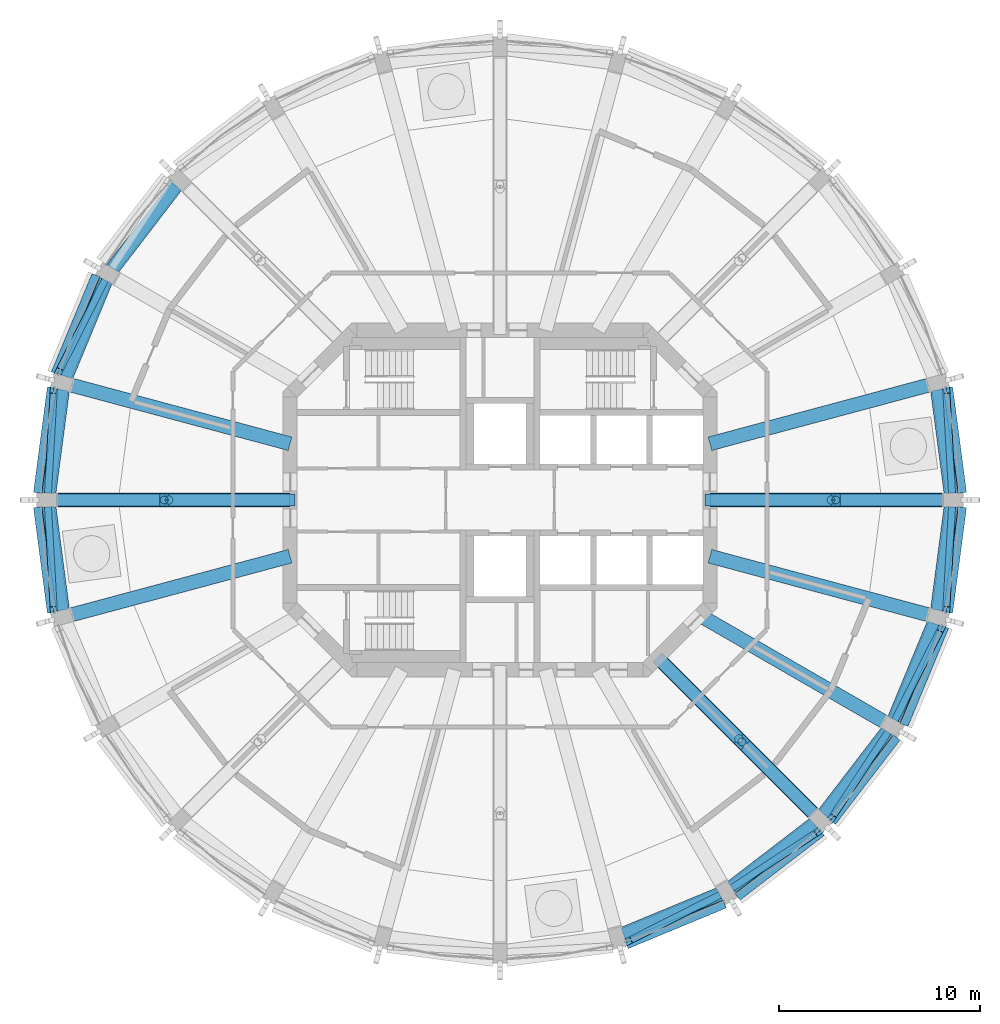
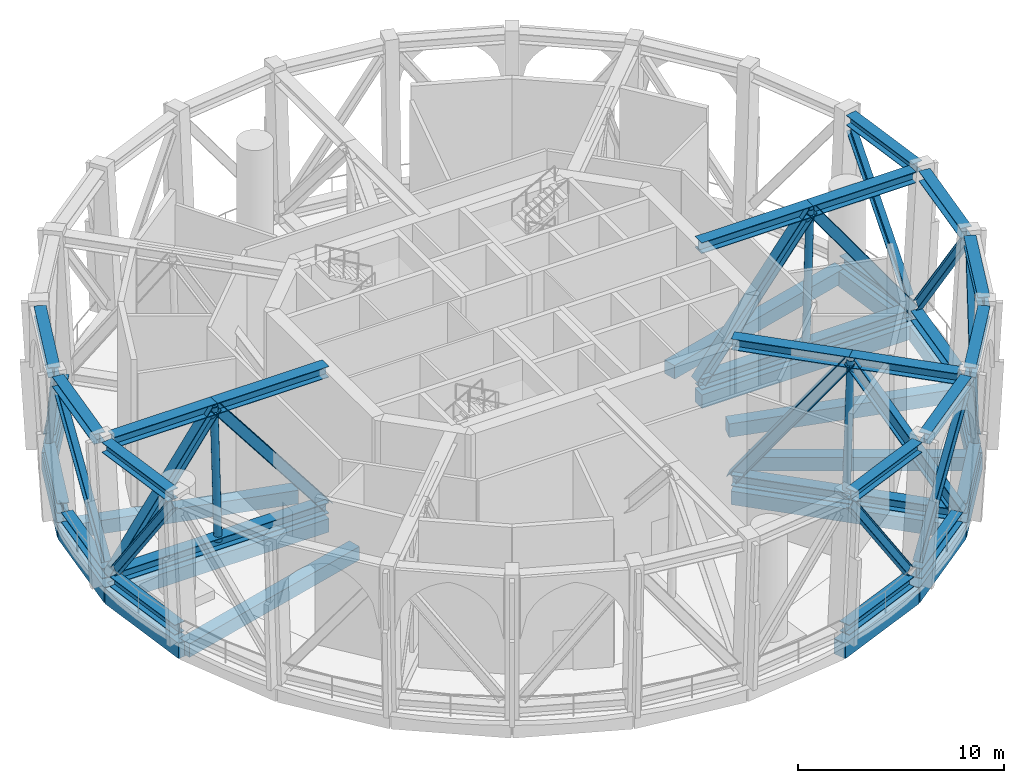
# One storey, part 2 of 12: 46 members, 18 beams.
"""IFC4 building model written with IfcOpenShell, lengths in metres."""

from ifc_helpers import new_model, si_unit, direction, frame, origin, origin_2d, place, context, subcontext, project, spatial, rectangle, hollow_circle, i_section, extrude, material, material_profile, profile_set, type_object, element, save


model = new_model("IFC4")

# Units and contexts
model_context = context("Model", 3, precision=1e-05, world=origin(), true_north=direction((0.0, 1.0)))
body_context = subcontext(model_context, "Body", "Model", "MODEL_VIEW")
ifc_project = project(units=[si_unit("LENGTHUNIT", "METRE"), si_unit("AREAUNIT", "SQUARE_METRE"), si_unit("VOLUMEUNIT", "CUBIC_METRE"), si_unit("PLANEANGLEUNIT", "RADIAN"), si_unit("MASSUNIT", "GRAM", prefix="KILO")], contexts=[model_context])

# Site, building, storey
site_placement = place(None, origin())
site = spatial("IfcSite", under=ifc_project, at=site_placement, CompositionType="ELEMENT")
building_placement = place(site_placement, origin())
building = spatial("IfcBuilding", under=site, at=building_placement, Name="Torre Triforio", CompositionType="ELEMENT")
storey_placement = place(building_placement, frame((0.0, 0.0, 183.800048828125)))
storey = spatial("IfcBuildingStorey", under=building, at=storey_placement, Name="L42", CompositionType="ELEMENT", Elevation=183.800048828125)

# Members
ifc_material_1 = material(Name="Steel ASTM A572 Gr 50", Category="steel")
ifc_material_profile_1 = material_profile(ifc_material_1, i_section(OverallWidth=0.60009765625, OverallDepth=0.60009765625, WebThickness=0.02490234375, FlangeThickness=0.031494140625, at=origin_2d()), Name="CS 600x402")
ifc_profile_set_1 = profile_set([ifc_material_profile_1], Name="Steel ASTM A572 Gr 50")
member_type_1 = type_object("IfcMemberType", Name="Belt truss chord CS 600x402", PredefinedType="CHORD", material=ifc_profile_set_1)
member_1_placement = place(storey_placement, frame((22.470703125, 0.35009765625, 0.300048828125), z_axis=(-0.13056807281, 0.99143934679, 0.0), x_axis=(-0.99143934679, -0.13056807281, 0.0)))
element("IfcMember", 1, at=member_1_placement, inside=storey, type_object=member_type_1, Name="BT.L42.00.CB", PredefinedType="CHORD", context=body_context, shape_type="SweptSolid", body=[
    extrude(i_section(OverallWidth=0.60009765625, OverallDepth=0.60009765625, WebThickness=0.02490234375, FlangeThickness=0.031494140625, at=origin_2d()), origin(), (0.0, 0.0, 1.0), 5.171875),
])
member_2_placement = place(storey_placement, frame((22.921630859375, 0.35009765625, 8.419921875), z_axis=(-0.130524953638, 0.991445024435, 0.0), x_axis=(-0.991445024435, -0.130524953638, 0.0)))
element("IfcMember", 2, at=member_2_placement, inside=storey, type_object=member_type_1, Name="BT.L42.00.CT", PredefinedType="CHORD", context=body_context, shape_type="SweptSolid", body=[
    extrude(i_section(OverallWidth=0.60009765625, OverallDepth=0.60009765625, WebThickness=0.02490234375, FlangeThickness=0.031494140625, at=origin_2d()), origin(), (0.0, 0.0, 1.0), 5.28955078125),
])
for number, where, z_axis, x_axis, name in (
    (3, (-16.136474609375, 15.6416015625, 0.300048828125), (-0.608777333053, -0.793341136436, 0.0), (0.793341136436, -0.608777333053, 0.0), "BT.L42.09.CB"),
    (4, (-19.635009765625, 10.93212890625, 0.300048828125), (-0.382683922195, -0.923879329617, 0.0), (0.923879329617, -0.382683922195, 0.0), "BT.L42.10.CB"),
):
    element("IfcMember", number, at=place(storey_placement, frame(where, z_axis=z_axis, x_axis=x_axis)), inside=storey, type_object=member_type_1, Name=name, PredefinedType="CHORD", context=body_context, shape_type="SweptSolid", body=[
        extrude(i_section(OverallWidth=0.60009765625, OverallDepth=0.60009765625, WebThickness=0.02490234375, FlangeThickness=0.031494140625, at=origin_2d()), origin(), (0.0, 0.0, 1.0), 5.172119140625),
    ])
member_3_placement = place(storey_placement, frame((-20.02587890625, 11.15771484375, 8.419921875), z_axis=(-0.382671106265, -0.923884638053, 0.0), x_axis=(0.923884638053, -0.382671106265, 0.0)))
element("IfcMember", 5, at=member_3_placement, inside=storey, type_object=member_type_1, Name="BT.L42.10.CT", PredefinedType="CHORD", context=body_context, shape_type="SweptSolid", body=[
    extrude(i_section(OverallWidth=0.60009765625, OverallDepth=0.60009765625, WebThickness=0.02490234375, FlangeThickness=0.031494140625, at=origin_2d()), origin(), (0.0, 0.0, 1.0), 5.28955078125),
])
member_4_placement = place(storey_placement, frame((-21.79541015625, 5.477783203125, 0.300048828125), z_axis=(-0.13056807281, -0.99143934679, 0.0), x_axis=(0.99143934679, -0.13056807281, 0.0)))
element("IfcMember", 6, at=member_4_placement, inside=storey, type_object=member_type_1, Name="BT.L42.11.CB", PredefinedType="CHORD", context=body_context, shape_type="SweptSolid", body=[
    extrude(i_section(OverallWidth=0.60009765625, OverallDepth=0.60009765625, WebThickness=0.02490234375, FlangeThickness=0.031494140625, at=origin_2d()), origin(), (0.0, 0.0, 1.0), 5.171875),
])
member_5_placement = place(storey_placement, frame((-22.231201171875, 5.594482421875, 8.419921875), z_axis=(-0.130524953638, -0.991445024435, 0.0), x_axis=(0.991445024435, -0.130524953638, 0.0)))
element("IfcMember", 7, at=member_5_placement, inside=storey, type_object=member_type_1, Name="BT.L42.11.CT", PredefinedType="CHORD", context=body_context, shape_type="SweptSolid", body=[
    extrude(i_section(OverallWidth=0.60009765625, OverallDepth=0.60009765625, WebThickness=0.02490234375, FlangeThickness=0.031494140625, at=origin_2d()), origin(), (0.0, 0.0, 1.0), 5.28955078125),
])
member_6_placement = place(storey_placement, frame((-22.470703125, -0.35009765625, 0.300048828125), z_axis=(0.13056807281, -0.99143934679, 0.0), x_axis=(0.99143934679, 0.13056807281, 0.0)))
element("IfcMember", 8, at=member_6_placement, inside=storey, type_object=member_type_1, Name="BT.L42.12.CB", PredefinedType="CHORD", context=body_context, shape_type="SweptSolid", body=[
    extrude(i_section(OverallWidth=0.60009765625, OverallDepth=0.60009765625, WebThickness=0.02490234375, FlangeThickness=0.031494140625, at=origin_2d()), origin(), (0.0, 0.0, 1.0), 5.171875),
])
member_7_placement = place(storey_placement, frame((-22.921630859375, -0.35009765625, 8.419921875), z_axis=(0.130524953638, -0.991445024435, 0.0), x_axis=(0.991445024435, 0.130524953638, 0.0)))
element("IfcMember", 9, at=member_7_placement, inside=storey, type_object=member_type_1, Name="BT.L42.12.CT", PredefinedType="CHORD", context=body_context, shape_type="SweptSolid", body=[
    extrude(i_section(OverallWidth=0.60009765625, OverallDepth=0.60009765625, WebThickness=0.02490234375, FlangeThickness=0.031494140625, at=origin_2d()), origin(), (0.0, 0.0, 1.0), 5.28955078125),
])
member_8_placement = place(storey_placement, frame((6.15380859375, -21.6142578125, 0.300048828125), z_axis=(0.923879329617, 0.382683922195, 0.0), x_axis=(-0.382683922195, 0.923879329617, 0.0)))
element("IfcMember", 10, at=member_8_placement, inside=storey, type_object=member_type_1, Name="BT.L42.19.CB", PredefinedType="CHORD", context=body_context, shape_type="SweptSolid", body=[
    extrude(i_section(OverallWidth=0.60009765625, OverallDepth=0.60009765625, WebThickness=0.02490234375, FlangeThickness=0.031494140625, at=origin_2d()), origin(), (0.0, 0.0, 1.0), 5.172119140625),
])
member_9_placement = place(storey_placement, frame((6.270751953125, -22.050048828125, 8.419921875), z_axis=(0.923884638053, 0.382671106265, 0.0), x_axis=(-0.382671106265, 0.923884638053, 0.0)))
element("IfcMember", 11, at=member_9_placement, inside=storey, type_object=member_type_1, Name="BT.L42.19.CT", PredefinedType="CHORD", context=body_context, shape_type="SweptSolid", body=[
    extrude(i_section(OverallWidth=0.60009765625, OverallDepth=0.60009765625, WebThickness=0.02490234375, FlangeThickness=0.031494140625, at=origin_2d()), origin(), (0.0, 0.0, 1.0), 5.28955078125),
])
member_10_placement = place(storey_placement, frame((11.538330078125, -19.28515625, 0.300048828125), z_axis=(0.793341136436, 0.608777333053, 0.0), x_axis=(-0.608777333053, 0.793341136436, 0.0)))
element("IfcMember", 12, at=member_10_placement, inside=storey, type_object=member_type_1, Name="BT.L42.20.CB", PredefinedType="CHORD", context=body_context, shape_type="SweptSolid", body=[
    extrude(i_section(OverallWidth=0.60009765625, OverallDepth=0.60009765625, WebThickness=0.02490234375, FlangeThickness=0.031494140625, at=origin_2d()), origin(), (0.0, 0.0, 1.0), 5.172119140625),
])
member_11_placement = place(storey_placement, frame((11.763916015625, -19.67578125, 8.419921875), z_axis=(0.793361162285, 0.608751235052, 0.0), x_axis=(-0.608751235052, 0.793361162285, 0.0)))
element("IfcMember", 13, at=member_11_placement, inside=storey, type_object=member_type_1, Name="BT.L42.20.CT", PredefinedType="CHORD", context=body_context, shape_type="SweptSolid", body=[
    extrude(i_section(OverallWidth=0.60009765625, OverallDepth=0.60009765625, WebThickness=0.02490234375, FlangeThickness=0.031494140625, at=origin_2d()), origin(), (0.0, 0.0, 1.0), 5.289794921875),
])
member_12_placement = place(storey_placement, frame((16.136474609375, -15.6416015625, 0.300048828125), z_axis=(0.608777333053, 0.793341136436, 0.0), x_axis=(-0.793341136436, 0.608777333053, 0.0)))
element("IfcMember", 14, at=member_12_placement, inside=storey, type_object=member_type_1, Name="BT.L42.21.CB", PredefinedType="CHORD", context=body_context, shape_type="SweptSolid", body=[
    extrude(i_section(OverallWidth=0.60009765625, OverallDepth=0.60009765625, WebThickness=0.02490234375, FlangeThickness=0.031494140625, at=origin_2d()), origin(), (0.0, 0.0, 1.0), 5.172119140625),
])
member_13_placement = place(storey_placement, frame((16.45556640625, -15.960693359375, 8.419921875), z_axis=(0.608751235052, 0.793361162285, 0.0), x_axis=(-0.793361162285, 0.608751235052, 0.0)))
element("IfcMember", 15, at=member_13_placement, inside=storey, type_object=member_type_1, Name="BT.L42.21.CT", PredefinedType="CHORD", context=body_context, shape_type="SweptSolid", body=[
    extrude(i_section(OverallWidth=0.60009765625, OverallDepth=0.60009765625, WebThickness=0.02490234375, FlangeThickness=0.031494140625, at=origin_2d()), origin(), (0.0, 0.0, 1.0), 5.289794921875),
])
member_14_placement = place(storey_placement, frame((19.635009765625, -10.93212890625, 0.300048828125), z_axis=(0.382683922195, 0.923879329617, 0.0), x_axis=(-0.923879329617, 0.382683922195, 0.0)))
element("IfcMember", 16, at=member_14_placement, inside=storey, type_object=member_type_1, Name="BT.L42.22.CB", PredefinedType="CHORD", context=body_context, shape_type="SweptSolid", body=[
    extrude(i_section(OverallWidth=0.60009765625, OverallDepth=0.60009765625, WebThickness=0.02490234375, FlangeThickness=0.031494140625, at=origin_2d()), origin(), (0.0, 0.0, 1.0), 5.172119140625),
])
member_15_placement = place(storey_placement, frame((20.02587890625, -11.15771484375, 8.419921875), z_axis=(0.382671106265, 0.923884638053, 0.0), x_axis=(-0.923884638053, 0.382671106265, 0.0)))
element("IfcMember", 17, at=member_15_placement, inside=storey, type_object=member_type_1, Name="BT.L42.22.CT", PredefinedType="CHORD", context=body_context, shape_type="SweptSolid", body=[
    extrude(i_section(OverallWidth=0.60009765625, OverallDepth=0.60009765625, WebThickness=0.02490234375, FlangeThickness=0.031494140625, at=origin_2d()), origin(), (0.0, 0.0, 1.0), 5.28955078125),
])
member_16_placement = place(storey_placement, frame((21.79541015625, -5.477783203125, 0.300048828125), z_axis=(0.13056807281, 0.99143934679, 0.0), x_axis=(-0.99143934679, 0.13056807281, 0.0)))
element("IfcMember", 18, at=member_16_placement, inside=storey, type_object=member_type_1, Name="BT.L42.23.CB", PredefinedType="CHORD", context=body_context, shape_type="SweptSolid", body=[
    extrude(i_section(OverallWidth=0.60009765625, OverallDepth=0.60009765625, WebThickness=0.02490234375, FlangeThickness=0.031494140625, at=origin_2d()), origin(), (0.0, 0.0, 1.0), 5.171875),
])
member_17_placement = place(storey_placement, frame((22.231201171875, -5.594482421875, 8.419921875), z_axis=(0.130524953638, 0.991445024435, 0.0), x_axis=(-0.991445024435, 0.130524953638, 0.0)))
element("IfcMember", 19, at=member_17_placement, inside=storey, type_object=member_type_1, Name="BT.L42.23.CT", PredefinedType="CHORD", context=body_context, shape_type="SweptSolid", body=[
    extrude(i_section(OverallWidth=0.60009765625, OverallDepth=0.60009765625, WebThickness=0.02490234375, FlangeThickness=0.031494140625, at=origin_2d()), origin(), (0.0, 0.0, 1.0), 5.28955078125),
])
ifc_material_profile_2 = material_profile(ifc_material_1, i_section(OverallWidth=0.35009765625, OverallDepth=0.5, WebThickness=0.01904296875, FlangeThickness=0.02490234375, at=origin_2d()), Name="CVS 500x204")
ifc_profile_set_2 = profile_set([ifc_material_profile_2], Name="Steel ASTM A572 Gr 50")
member_type_2 = type_object("IfcMemberType", Name="Belt truss diagonal CVS 500x204", PredefinedType="BRACE", material=ifc_profile_set_2)
member_18_placement = place(storey_placement, frame((22.4921875, 0.43994140625, 0.90087890625), z_axis=(-0.032915956842, 0.590378322033, 0.806455191972), x_axis=(-0.998449359576, -0.055667552149, 0.0)))
element("IfcMember", 20, at=member_18_placement, inside=storey, type_object=member_type_2, Name="BT.L42.00.D", PredefinedType="BRACE", context=body_context, shape_type="SweptSolid", body=[
    extrude(i_section(OverallWidth=0.35009765625, OverallDepth=0.5, WebThickness=0.01904296875, FlangeThickness=0.02490234375, at=origin_2d()), origin(), (0.0, 0.0, 1.0), 8.566650390625),
])
member_19_placement = place(storey_placement, frame((-19.69873046875, 10.865234375, 0.90087890625), z_axis=(-0.266686290397, -0.527758432555, 0.806442471216), x_axis=(0.892520251583, -0.451007317583, 0.0)))
element("IfcMember", 21, at=member_19_placement, inside=storey, type_object=member_type_2, Name="BT.L42.10.D", PredefinedType="BRACE", context=body_context, shape_type="SweptSolid", body=[
    extrude(i_section(OverallWidth=0.35009765625, OverallDepth=0.5, WebThickness=0.01904296875, FlangeThickness=0.02490234375, at=origin_2d()), origin(), (0.0, 0.0, 1.0), 8.56689453125),
])
for number, where, z_axis, x_axis, name in (
    (22, (-22.210205078125, 5.49755859375, 7.8095703125), (-0.032915956842, -0.590378322033, -0.806455191972), (0.998449359576, -0.055667552149, 0.0), "BT.L42.11.D"),
    (23, (-22.4921875, -0.43994140625, 0.90087890625), (0.032915956842, -0.590378322033, 0.806455191972), (0.998449359576, 0.055667552149, 0.0), "BT.L42.12.D"),
):
    element("IfcMember", number, at=place(storey_placement, frame(where, z_axis=z_axis, x_axis=x_axis)), inside=storey, type_object=member_type_2, Name=name, PredefinedType="BRACE", context=body_context, shape_type="SweptSolid", body=[
        extrude(i_section(OverallWidth=0.35009765625, OverallDepth=0.5, WebThickness=0.01904296875, FlangeThickness=0.02490234375, at=origin_2d()), origin(), (0.0, 0.0, 1.0), 8.566650390625),
    ])
for number, where, z_axis, x_axis, name in (
    (24, (6.343994140625, -21.9833984375, 7.8095703125), (0.527758432555, 0.266686290397, -0.806442471216), (-0.451007317583, 0.892520251583, 0.0), "BT.L42.19.D"),
    (25, (11.626953125, -19.2587890625, 0.90087890625), (0.49484101524, 0.323709922375, 0.806439244948), (-0.547438929795, 0.836845635792, 0.0), "BT.L42.20.D"),
    (26, (16.485595703125, -15.8662109375, 7.8095703125), (0.323709922375, 0.49484101524, -0.806439244948), (-0.836845635792, 0.547438929795, 0.0), "BT.L42.21.D"),
    (27, (19.69873046875, -10.865234375, 0.90087890625), (0.266686290397, 0.527758432555, 0.806442471216), (-0.892520251583, 0.451007317583, 0.0), "BT.L42.22.D"),
):
    element("IfcMember", number, at=place(storey_placement, frame(where, z_axis=z_axis, x_axis=x_axis)), inside=storey, type_object=member_type_2, Name=name, PredefinedType="BRACE", context=body_context, shape_type="SweptSolid", body=[
        extrude(i_section(OverallWidth=0.35009765625, OverallDepth=0.5, WebThickness=0.01904296875, FlangeThickness=0.02490234375, at=origin_2d()), origin(), (0.0, 0.0, 1.0), 8.56689453125),
    ])
member_20_placement = place(storey_placement, frame((22.210205078125, -5.49755859375, 7.8095703125), z_axis=(0.032915956842, 0.590378322033, -0.806455191972), x_axis=(-0.998449359576, 0.055667552149, 0.0)))
element("IfcMember", 28, at=member_20_placement, inside=storey, type_object=member_type_2, Name="BT.L42.23.D", PredefinedType="BRACE", context=body_context, shape_type="SweptSolid", body=[
    extrude(i_section(OverallWidth=0.35009765625, OverallDepth=0.5, WebThickness=0.01904296875, FlangeThickness=0.02490234375, at=origin_2d()), origin(), (0.0, 0.0, 1.0), 8.566650390625),
])
ifc_material_profile_3 = material_profile(ifc_material_1, i_section(OverallWidth=0.64990234375, OverallDepth=0.64990234375, WebThickness=0.02490234375, FlangeThickness=0.031494140625, at=origin_2d()), Name="CS 650x437")
ifc_profile_set_3 = profile_set([ifc_material_profile_3], Name="Steel ASTM A572 Gr 50")
member_type_3 = type_object("IfcMemberType", Name="Outrigger bottom chord CS 650x437", PredefinedType="CHORD", material=ifc_profile_set_3)
for number, where, z_axis, x_axis, name in (
    (29, (10.449951171875, 0.0, 0.324951171875), (1.0, 0.0, 0.0), (0.0, 1.0, 0.0), "OR.1.CB.1"),
    (30, (-10.449951171875, 0.0, 0.324951171875), (-1.0, 0.0, 0.0), (0.0, -1.0, 0.0), "OR.5.CB.1"),
):
    element("IfcMember", number, at=place(storey_placement, frame(where, z_axis=z_axis, x_axis=x_axis)), inside=storey, type_object=member_type_3, Name=name, PredefinedType="CHORD", context=body_context, shape_type="SweptSolid", body=[
        extrude(i_section(OverallWidth=0.64990234375, OverallDepth=0.64990234375, WebThickness=0.02490234375, FlangeThickness=0.031494140625, at=origin_2d()), origin(), (0.0, 0.0, 1.0), 11.568115234375),
    ])
member_21_placement = place(storey_placement, frame((7.847412109375, -7.847412109375, 0.324951171875), z_axis=(0.707106781187, -0.707106781187, 0.0), x_axis=(0.707106781187, 0.707106781187, 0.0)))
element("IfcMember", 31, at=member_21_placement, inside=storey, type_object=member_type_3, Name="OR.8.CB.1", PredefinedType="CHORD", context=body_context, shape_type="SweptSolid", body=[
    extrude(i_section(OverallWidth=0.64990234375, OverallDepth=0.64990234375, WebThickness=0.02490234375, FlangeThickness=0.031494140625, at=origin_2d()), origin(), (0.0, 0.0, 1.0), 10.920166015625),
])
ifc_material_profile_4 = material_profile(ifc_material_1, i_section(OverallWidth=0.64990234375, OverallDepth=0.64990234375, WebThickness=0.02490234375, FlangeThickness=0.031494140625, at=origin_2d()), Name="CS 650x437")
ifc_profile_set_4 = profile_set([ifc_material_profile_4], Name="Steel ASTM A572 Gr 50")
member_type_4 = type_object("IfcMemberType", Name="Outrigger top chord CS 650x437", PredefinedType="CHORD", material=ifc_profile_set_4)
member_22_placement = place(storey_placement, frame((10.449951171875, 0.0, 8.39501953125), z_axis=(1.0, 0.0, 0.0), x_axis=(0.0, 1.0, 0.0)))
element("IfcMember", 32, at=member_22_placement, inside=storey, type_object=member_type_4, Name="OR.1.CT.1", PredefinedType="CHORD", context=body_context, shape_type="SweptSolid", body=[
    extrude(i_section(OverallWidth=0.64990234375, OverallDepth=0.64990234375, WebThickness=0.02490234375, FlangeThickness=0.031494140625, at=origin_2d()), origin(), (0.0, 0.0, 1.0), 6.25830078125),
])
member_23_placement = place(storey_placement, frame((16.708251953125, 0.0, 8.39501953125), z_axis=(1.0, 0.0, 0.0), x_axis=(0.0, 1.0, 0.0)))
element("IfcMember", 33, at=member_23_placement, inside=storey, type_object=member_type_4, Name="OR.1.CT.2", PredefinedType="CHORD", context=body_context, shape_type="SweptSolid", body=[
    extrude(i_section(OverallWidth=0.64990234375, OverallDepth=0.64990234375, WebThickness=0.02490234375, FlangeThickness=0.031494140625, at=origin_2d()), origin(), (0.0, 0.0, 1.0), 5.758056640625),
])
member_24_placement = place(storey_placement, frame((-10.449951171875, 0.0, 8.39501953125), z_axis=(-1.0, 0.0, 0.0), x_axis=(0.0, -1.0, 0.0)))
element("IfcMember", 34, at=member_24_placement, inside=storey, type_object=member_type_4, Name="OR.5.CT.1", PredefinedType="CHORD", context=body_context, shape_type="SweptSolid", body=[
    extrude(i_section(OverallWidth=0.64990234375, OverallDepth=0.64990234375, WebThickness=0.02490234375, FlangeThickness=0.031494140625, at=origin_2d()), origin(), (0.0, 0.0, 1.0), 6.25830078125),
])
member_25_placement = place(storey_placement, frame((-16.708251953125, 0.0, 8.39501953125), z_axis=(-1.0, 0.0, 0.0), x_axis=(0.0, -1.0, 0.0)))
element("IfcMember", 35, at=member_25_placement, inside=storey, type_object=member_type_4, Name="OR.5.CT.2", PredefinedType="CHORD", context=body_context, shape_type="SweptSolid", body=[
    extrude(i_section(OverallWidth=0.64990234375, OverallDepth=0.64990234375, WebThickness=0.02490234375, FlangeThickness=0.031494140625, at=origin_2d()), origin(), (0.0, 0.0, 1.0), 5.758056640625),
])
member_26_placement = place(storey_placement, frame((7.847412109375, -7.847412109375, 8.39501953125), z_axis=(0.707106781187, -0.707106781187, 0.0), x_axis=(0.707106781187, 0.707106781187, 0.0)))
element("IfcMember", 36, at=member_26_placement, inside=storey, type_object=member_type_4, Name="OR.8.CT.1", PredefinedType="CHORD", context=body_context, shape_type="SweptSolid", body=[
    extrude(i_section(OverallWidth=0.64990234375, OverallDepth=0.64990234375, WebThickness=0.02490234375, FlangeThickness=0.031494140625, at=origin_2d()), origin(), (0.0, 0.0, 1.0), 5.9345703125),
])
member_27_placement = place(storey_placement, frame((12.043701171875, -12.043701171875, 8.39501953125), z_axis=(0.707106781187, -0.707106781187, 0.0), x_axis=(0.707106781187, 0.707106781187, 0.0)))
element("IfcMember", 37, at=member_27_placement, inside=storey, type_object=member_type_4, Name="OR.8.CT.2", PredefinedType="CHORD", context=body_context, shape_type="SweptSolid", body=[
    extrude(i_section(OverallWidth=0.64990234375, OverallDepth=0.64990234375, WebThickness=0.02490234375, FlangeThickness=0.031494140625, at=origin_2d()), origin(), (0.0, 0.0, 1.0), 5.43408203125),
])
ifc_material_profile_5 = material_profile(ifc_material_1, i_section(OverallWidth=0.60009765625, OverallDepth=0.60009765625, WebThickness=0.02490234375, FlangeThickness=0.031494140625, at=origin_2d()), Name="CS 600x402")
ifc_profile_set_5 = profile_set([ifc_material_profile_5], Name="Steel ASTM A572 Gr 50")
member_type_5 = type_object("IfcMemberType", Name="Outrigger truss diagonal CS 600x402", PredefinedType="BRACE", material=ifc_profile_set_5)
member_28_placement = place(storey_placement, frame((10.449951171875, 0.0, 0.324951171875), z_axis=(0.612816207459, 0.0, 0.790225471543), x_axis=(0.0, 1.0, 0.0)))
element("IfcMember", 38, at=member_28_placement, inside=storey, type_object=member_type_5, Name="OR.1.D.1", PredefinedType="BRACE", context=body_context, shape_type="SweptSolid", body=[
    extrude(i_section(OverallWidth=0.60009765625, OverallDepth=0.60009765625, WebThickness=0.02490234375, FlangeThickness=0.031494140625, at=origin_2d()), origin(), (0.0, 0.0, 1.0), 10.21240234375),
])
member_29_placement = place(storey_placement, frame((16.708251953125, 0.0, 8.39501953125), z_axis=(0.584262684056, 0.0, -0.811564609886), x_axis=(0.0, 1.0, 0.0)))
element("IfcMember", 39, at=member_29_placement, inside=storey, type_object=member_type_5, Name="OR.1.D.2", PredefinedType="BRACE", context=body_context, shape_type="SweptSolid", body=[
    extrude(i_section(OverallWidth=0.60009765625, OverallDepth=0.60009765625, WebThickness=0.02490234375, FlangeThickness=0.031494140625, at=origin_2d()), origin(), (0.0, 0.0, 1.0), 9.94384765625),
])
member_30_placement = place(storey_placement, frame((-10.449951171875, 0.0, 0.324951171875), z_axis=(-0.612816207459, 0.0, 0.790225471543), x_axis=(0.0, -1.0, 0.0)))
element("IfcMember", 40, at=member_30_placement, inside=storey, type_object=member_type_5, Name="OR.5.D.1", PredefinedType="BRACE", context=body_context, shape_type="SweptSolid", body=[
    extrude(i_section(OverallWidth=0.60009765625, OverallDepth=0.60009765625, WebThickness=0.02490234375, FlangeThickness=0.031494140625, at=origin_2d()), origin(), (0.0, 0.0, 1.0), 10.21240234375),
])
member_31_placement = place(storey_placement, frame((-16.708251953125, 0.0, 8.39501953125), z_axis=(-0.584262684056, 0.0, -0.811564609886), x_axis=(0.0, -1.0, 0.0)))
element("IfcMember", 41, at=member_31_placement, inside=storey, type_object=member_type_5, Name="OR.5.D.2", PredefinedType="BRACE", context=body_context, shape_type="SweptSolid", body=[
    extrude(i_section(OverallWidth=0.60009765625, OverallDepth=0.60009765625, WebThickness=0.02490234375, FlangeThickness=0.031494140625, at=origin_2d()), origin(), (0.0, 0.0, 1.0), 9.94384765625),
])
member_32_placement = place(storey_placement, frame((7.847412109375, -7.847412109375, 0.324951171875), z_axis=(0.418909654457, -0.418909654457, 0.805623611128), x_axis=(0.707106781187, 0.707106781187, 0.0)))
element("IfcMember", 42, at=member_32_placement, inside=storey, type_object=member_type_5, Name="OR.8.D.1", PredefinedType="BRACE", context=body_context, shape_type="SweptSolid", body=[
    extrude(i_section(OverallWidth=0.60009765625, OverallDepth=0.60009765625, WebThickness=0.02490234375, FlangeThickness=0.031494140625, at=origin_2d()), origin(), (0.0, 0.0, 1.0), 10.01708984375),
])
member_33_placement = place(storey_placement, frame((12.043701171875, -12.043701171875, 8.39501953125), z_axis=(0.397511906733, -0.397511906733, -0.827023922272), x_axis=(0.707106781187, 0.707106781187, 0.0)))
element("IfcMember", 43, at=member_33_placement, inside=storey, type_object=member_type_5, Name="OR.8.D.2", PredefinedType="BRACE", context=body_context, shape_type="SweptSolid", body=[
    extrude(i_section(OverallWidth=0.60009765625, OverallDepth=0.60009765625, WebThickness=0.02490234375, FlangeThickness=0.031494140625, at=origin_2d()), origin(), (0.0, 0.0, 1.0), 9.758056640625),
])
ifc_material_profile_6 = material_profile(ifc_material_1, hollow_circle(Radius=0.203125, WallThickness=0.02001953125, at=origin_2d()), Name="CHS 406.4x20")
ifc_profile_set_6 = profile_set([ifc_material_profile_6], Name="Steel ASTM A572 Gr 50")
member_type_6 = type_object("IfcMemberType", Name="Outrigger truss post CHS 406.4x20", PredefinedType="POST", material=ifc_profile_set_6)
for number, where, z_axis, x_axis, name in (
    (44, (16.484130859375, 0.0, 0.324951171875), (0.027761191589, 0.0, 0.999614583848), (0.0, 1.0, 0.0), "OR.1.P.1"),
    (45, (-16.484130859375, 0.0, 0.324951171875), (-0.027761191589, 0.0, 0.999614583848), (0.0, -1.0, 0.0), "OR.5.P.1"),
    (46, (11.885009765625, -11.885009765625, 0.324951171875), (0.019656596681, -0.019656596681, 0.999613543533), (0.707106781187, 0.707106781187, 0.0), "OR.8.P.1"),
):
    element("IfcMember", number, at=place(storey_placement, frame(where, z_axis=z_axis, x_axis=x_axis)), inside=storey, type_object=member_type_6, Name=name, PredefinedType="POST", context=body_context, shape_type="SweptSolid", body=[
        extrude(hollow_circle(Radius=0.203125, WallThickness=0.02001953125, at=origin_2d()), origin(), (0.0, 0.0, 1.0), 8.0732421875),
    ])

# Beams
ifc_material_2 = material(Name="Concrete C40", Category="concrete")
ifc_material_profile_7 = material_profile(ifc_material_2, rectangle(XDim=0.699951171875, YDim=0.800048828125, at=origin_2d()), Name="RC 700x800")
ifc_profile_set_7 = profile_set([ifc_material_profile_7], Name="Concrete C40")
beam_type_1 = type_object("IfcBeamType", Name="Radial beam RC 700x800 C40", PredefinedType="BEAM", material=ifc_profile_set_7)
beam_1_placement = place(storey_placement, frame((10.449951171875, 0.0, -0.679931640625), z_axis=(1.0, 0.0, 0.0), x_axis=(0.0, 1.0, 0.0)))
element("IfcBeam", 47, at=beam_1_placement, inside=storey, type_object=beam_type_1, Name="BM.R.L42.00", PredefinedType="BEAM", context=body_context, shape_type="SweptSolid", body=[
    extrude(rectangle(XDim=0.699951171875, YDim=0.800048828125, at=origin_2d()), origin(), (0.0, 0.0, 1.0), 12.050048828125),
])
for number, where, z_axis, x_axis, name in (
    (48, (10.449951171875, 2.800048828125, -0.679931640625), (0.965924822187, 0.258822792435, 0.0), (-0.258822792435, 0.965924822187, 0.0), "BM.R.L42.01"),
    (49, (-10.449951171875, 2.800048828125, -0.679931640625), (-0.965924822187, 0.258822792435, 0.0), (-0.258822792435, -0.965924822187, 0.0), "BM.R.L42.11"),
):
    element("IfcBeam", number, at=place(storey_placement, frame(where, z_axis=z_axis, x_axis=x_axis)), inside=storey, type_object=beam_type_1, Name=name, PredefinedType="BEAM", context=body_context, shape_type="SweptSolid", body=[
        extrude(rectangle(XDim=0.699951171875, YDim=0.800048828125, at=origin_2d()), origin(), (0.0, 0.0, 1.0), 11.681396484375),
    ])
beam_2_placement = place(storey_placement, frame((-10.449951171875, 0.0, -0.679931640625), z_axis=(-1.0, 0.0, 0.0), x_axis=(0.0, -1.0, 0.0)))
element("IfcBeam", 50, at=beam_2_placement, inside=storey, type_object=beam_type_1, Name="BM.R.L42.12", PredefinedType="BEAM", context=body_context, shape_type="SweptSolid", body=[
    extrude(rectangle(XDim=0.699951171875, YDim=0.800048828125, at=origin_2d()), origin(), (0.0, 0.0, 1.0), 12.050048828125),
])
beam_3_placement = place(storey_placement, frame((-10.449951171875, -2.800048828125, -0.679931640625), z_axis=(-0.965924822187, -0.258822792435, 0.0), x_axis=(0.258822792435, -0.965924822187, 0.0)))
element("IfcBeam", 51, at=beam_3_placement, inside=storey, type_object=beam_type_1, Name="BM.R.L42.13", PredefinedType="BEAM", context=body_context, shape_type="SweptSolid", body=[
    extrude(rectangle(XDim=0.699951171875, YDim=0.800048828125, at=origin_2d()), origin(), (0.0, 0.0, 1.0), 11.681396484375),
])
beam_4_placement = place(storey_placement, frame((7.847412109375, -7.847412109375, -0.679931640625), z_axis=(0.707106781187, -0.707106781187, 0.0), x_axis=(0.707106781187, 0.707106781187, 0.0)))
element("IfcBeam", 52, at=beam_4_placement, inside=storey, type_object=beam_type_1, Name="BM.R.L42.21", PredefinedType="BEAM", context=body_context, shape_type="SweptSolid", body=[
    extrude(rectangle(XDim=0.699951171875, YDim=0.800048828125, at=origin_2d()), origin(), (0.0, 0.0, 1.0), 11.402099609375),
])
beam_5_placement = place(storey_placement, frame((9.9501953125, -5.744873046875, -0.679931640625), z_axis=(0.866030871389, -0.499990529712, 0.0), x_axis=(0.499990529712, 0.866030871389, 0.0)))
element("IfcBeam", 53, at=beam_5_placement, inside=storey, type_object=beam_type_1, Name="BM.R.L42.22", PredefinedType="BEAM", context=body_context, shape_type="SweptSolid", body=[
    extrude(rectangle(XDim=0.699951171875, YDim=0.800048828125, at=origin_2d()), origin(), (0.0, 0.0, 1.0), 11.010498046875),
])
beam_6_placement = place(storey_placement, frame((10.449951171875, -2.800048828125, -0.679931640625), z_axis=(0.965924822187, -0.258822792435, 0.0), x_axis=(0.258822792435, 0.965924822187, 0.0)))
element("IfcBeam", 54, at=beam_6_placement, inside=storey, type_object=beam_type_1, Name="BM.R.L42.23", PredefinedType="BEAM", context=body_context, shape_type="SweptSolid", body=[
    extrude(rectangle(XDim=0.699951171875, YDim=0.800048828125, at=origin_2d()), origin(), (0.0, 0.0, 1.0), 11.681396484375),
])
ifc_material_profile_8 = material_profile(ifc_material_2, rectangle(XDim=0.699951171875, YDim=0.89990234375, at=origin_2d()), Name="RC 700x900")
ifc_profile_set_8 = profile_set([ifc_material_profile_8], Name="Concrete C40")
beam_type_2 = type_object("IfcBeamType", Name="Spandrel beam RC 700x900 C40", PredefinedType="SPANDREL", material=ifc_profile_set_8)
for number, where, z_axis, x_axis, name in (
    (55, (22.5, 0.0, -0.72998046875), (-0.13051364818, 0.991446512747, 0.0), (-0.991446512747, -0.13051364818, 0.0), "BM.S.L42.00"),
    (56, (-15.909912109375, 15.909912109375, -0.72998046875), (-0.608762208108, -0.793352742466, 0.0), (0.793352742466, -0.608762208108, 0.0), "BM.S.L42.09"),
):
    element("IfcBeam", number, at=place(storey_placement, frame(where, z_axis=z_axis, x_axis=x_axis)), inside=storey, type_object=beam_type_2, Name=name, PredefinedType="SPANDREL", context=body_context, shape_type="SweptSolid", body=[
        extrude(rectangle(XDim=0.699951171875, YDim=0.89990234375, at=origin_2d()), origin(), (0.0, 0.0, 1.0), 5.873779296875),
    ])
beam_7_placement = place(storey_placement, frame((-19.485595703125, 11.25, -0.72998046875), z_axis=(-0.382693194178, -0.923875488976, 0.0), x_axis=(0.923875488976, -0.382693194178, 0.0)))
element("IfcBeam", 57, at=beam_7_placement, inside=storey, type_object=beam_type_2, Name="BM.S.L42.10", PredefinedType="SPANDREL", context=body_context, shape_type="SweptSolid", body=[
    extrude(rectangle(XDim=0.699951171875, YDim=0.89990234375, at=origin_2d()), origin(), (0.0, 0.0, 1.0), 5.87353515625),
])
for number, where, z_axis, x_axis, name in (
    (58, (-21.7333984375, 5.823486328125, -0.72998046875), (-0.13051364818, -0.991446512747, 0.0), (0.991446512747, -0.13051364818, 0.0), "BM.S.L42.11"),
    (59, (-22.5, 0.0, -0.72998046875), (0.13051364818, -0.991446512747, 0.0), (0.991446512747, 0.13051364818, 0.0), "BM.S.L42.12"),
):
    element("IfcBeam", number, at=place(storey_placement, frame(where, z_axis=z_axis, x_axis=x_axis)), inside=storey, type_object=beam_type_2, Name=name, PredefinedType="SPANDREL", context=body_context, shape_type="SweptSolid", body=[
        extrude(rectangle(XDim=0.699951171875, YDim=0.89990234375, at=origin_2d()), origin(), (0.0, 0.0, 1.0), 5.873779296875),
    ])
beam_8_placement = place(storey_placement, frame((5.823486328125, -21.7333984375, -0.72998046875), z_axis=(0.923875488976, 0.382693194178, 0.0), x_axis=(-0.382693194178, 0.923875488976, 0.0)))
element("IfcBeam", 60, at=beam_8_placement, inside=storey, type_object=beam_type_2, Name="BM.S.L42.19", PredefinedType="SPANDREL", context=body_context, shape_type="SweptSolid", body=[
    extrude(rectangle(XDim=0.699951171875, YDim=0.89990234375, at=origin_2d()), origin(), (0.0, 0.0, 1.0), 5.87353515625),
])
for number, where, z_axis, x_axis, name in (
    (61, (11.25, -19.485595703125, -0.72998046875), (0.793352742466, 0.608762208108, 0.0), (-0.608762208108, 0.793352742466, 0.0), "BM.S.L42.20"),
    (62, (15.909912109375, -15.909912109375, -0.72998046875), (0.608762208108, 0.793352742466, 0.0), (-0.793352742466, 0.608762208108, 0.0), "BM.S.L42.21"),
):
    element("IfcBeam", number, at=place(storey_placement, frame(where, z_axis=z_axis, x_axis=x_axis)), inside=storey, type_object=beam_type_2, Name=name, PredefinedType="SPANDREL", context=body_context, shape_type="SweptSolid", body=[
        extrude(rectangle(XDim=0.699951171875, YDim=0.89990234375, at=origin_2d()), origin(), (0.0, 0.0, 1.0), 5.873779296875),
    ])
beam_9_placement = place(storey_placement, frame((19.485595703125, -11.25, -0.72998046875), z_axis=(0.382693194178, 0.923875488976, 0.0), x_axis=(-0.923875488976, 0.382693194178, 0.0)))
element("IfcBeam", 63, at=beam_9_placement, inside=storey, type_object=beam_type_2, Name="BM.S.L42.22", PredefinedType="SPANDREL", context=body_context, shape_type="SweptSolid", body=[
    extrude(rectangle(XDim=0.699951171875, YDim=0.89990234375, at=origin_2d()), origin(), (0.0, 0.0, 1.0), 5.87353515625),
])
beam_10_placement = place(storey_placement, frame((21.7333984375, -5.823486328125, -0.72998046875), z_axis=(0.13051364818, 0.991446512747, 0.0), x_axis=(-0.991446512747, 0.13051364818, 0.0)))
element("IfcBeam", 64, at=beam_10_placement, inside=storey, type_object=beam_type_2, Name="BM.S.L42.23", PredefinedType="SPANDREL", context=body_context, shape_type="SweptSolid", body=[
    extrude(rectangle(XDim=0.699951171875, YDim=0.89990234375, at=origin_2d()), origin(), (0.0, 0.0, 1.0), 5.873779296875),
])

save(model, "model.ifc")
